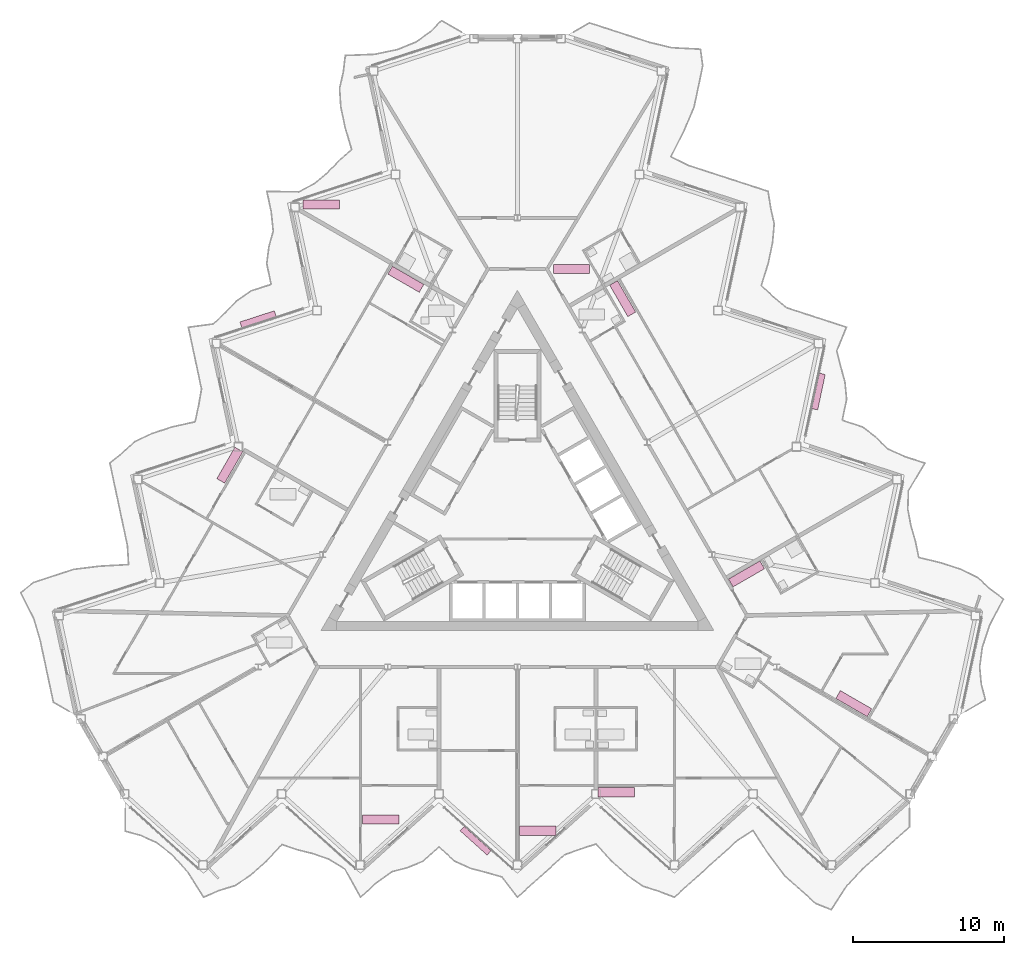
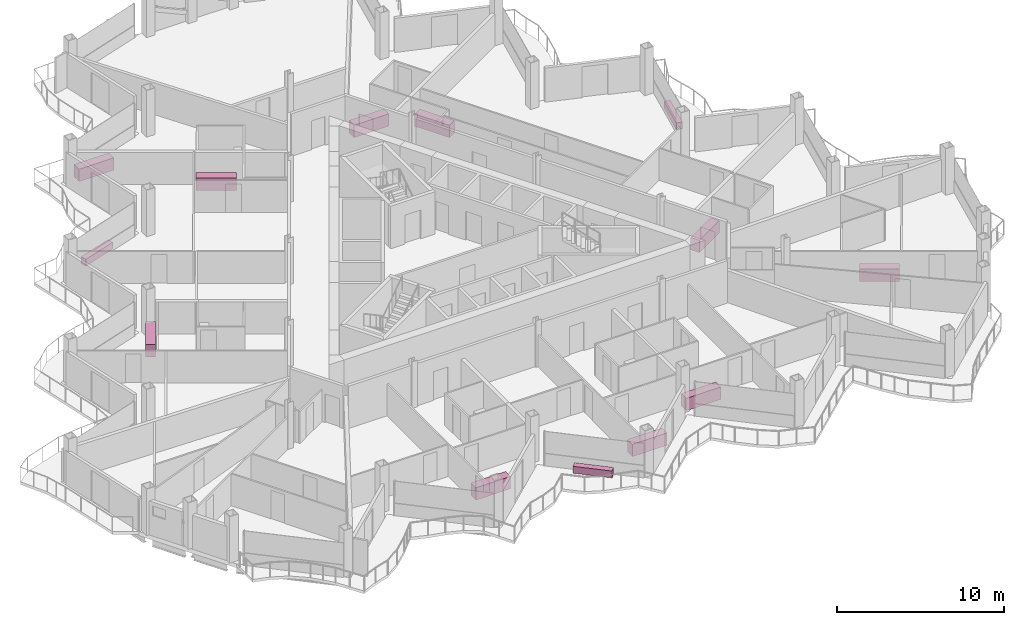
# One storey, part 27 of 27: 13 furniture elements.
"""IFC4 building model written with IfcOpenShell, lengths in metres."""

from ifc_helpers import new_model, si_unit, direction, frame, origin, origin_2d, place, context, subcontext, project, spatial, rectangle, extrude, material, type_object, element, save


model = new_model("IFC4")

# Units and contexts
model_context = context("Model", 3, precision=1e-05, world=origin(), true_north=direction((0.0, 1.0)))
body_context = subcontext(model_context, "Body", "Model", "MODEL_VIEW")
ifc_project = project(units=[si_unit("LENGTHUNIT", "METRE"), si_unit("AREAUNIT", "SQUARE_METRE"), si_unit("VOLUMEUNIT", "CUBIC_METRE"), si_unit("PLANEANGLEUNIT", "RADIAN"), si_unit("MASSUNIT", "GRAM", prefix="KILO")], contexts=[model_context])

# Site, building, storey
site_placement = place(None, origin())
site = spatial("IfcSite", under=ifc_project, at=site_placement, CompositionType="ELEMENT")
building_placement = place(site_placement, origin())
building = spatial("IfcBuilding", under=site, at=building_placement, Name="Cormorant Prow Tower", CompositionType="ELEMENT")
storey_placement = place(building_placement, frame((0.0, 0.0, 315.39990234375)))
storey = spatial("IfcBuildingStorey", under=building, at=storey_placement, Name="L69", CompositionType="ELEMENT", Elevation=315.39990234375)

# Furniture
ifc_material_1 = material(Name="Terracotta", Category="masonry")
furniture_type_1 = type_object("IfcFurnitureType", Name="Balcony planter 2400x400x500", AssemblyPlace="NOTDEFINED", PredefinedType="USERDEFINED", material=ifc_material_1)
for number, where, z_axis, x_axis, name in (
    (1, (-2.763671875, -21.41015625, 0.0), (0.0, 0.0, 1.0), (0.743144813413, -0.669130619757, 0.0), "Balcony planter S04"),
    (2, (19.923583984375, 8.3115234375, 0.0), (0.0, 0.0, 1.0), (0.207911759908, 0.978147586048, 0.0), "Balcony planter ENE04"),
    (3, (-17.159912109375, 13.098388671875, 0.0), (0.0, 0.0, 1.0), (-0.95105649024, -0.309017074565, 0.0), "Balcony planter WNW04"),
):
    element("IfcFurniture", number, at=place(storey_placement, frame(where, z_axis=z_axis, x_axis=x_axis)), inside=storey, type_object=furniture_type_1, Name=name, ObjectType="PLANTER", PredefinedType="USERDEFINED", context=body_context, shape_type="SweptSolid", body=[
        extrude(rectangle(XDim=2.39990234375, YDim=0.39990234375, at=origin_2d()), origin(), (0.0, 0.0, 1.0), 0.5),
    ])
ifc_material_2 = material(Name="Timber joinery", Category="wood")
furniture_type_2 = type_object("IfcFurnitureType", Name="Kitchen counter 2400x600", AssemblyPlace="NOTDEFINED", PredefinedType="NOTDEFINED", material=ifc_material_2)
for number, where, z_axis, x_axis, name in (
    (4, (-9.04052734375, -19.998779296875, 0.000244140625), (0.0, 0.0, 1.0), (1.0, 0.0, 0.0), "Kitchen counter"),
    (5, (1.344970703125, -20.748779296875, 0.000244140625), (0.0, 0.0, 1.0), (1.0, 0.0, 0.0), "Kitchen counter"),
    (6, (6.537841796875, -18.202880859375, 0.000244140625), (0.0, 0.0, 1.0), (1.0, 0.0, 0.0), "Kitchen counter"),
    (7, (22.255615234375, -12.33544921875, 0.000244140625), (0.0, 0.0, 1.0), (-0.866025403784, 0.5, 0.0), "Kitchen counter"),
    (8, (15.15869140625, -3.75439453125, 0.000244140625), (0.0, 0.0, 1.0), (0.866025403784, 0.5, 0.0), "Kitchen counter"),
    (9, (6.96435546875, 14.460205078125, 0.000244140625), (0.0, 0.0, 1.0), (0.5, -0.866025403784, 0.0), "Kitchen counter"),
    (10, (3.573486328125, 16.4267578125, 0.000244140625), (0.0, 0.0, 1.0), (1.0, 0.0, 0.0), "Kitchen counter"),
    (11, (-12.980224609375, 20.6767578125, 0.000244140625), (0.0, 0.0, 1.0), (1.0, 0.0, 0.0), "Kitchen counter"),
    (12, (-7.384033203125, 15.74169921875, 0.000244140625), (0.0, 0.0, 1.0), (0.866025403784, -0.5, 0.0), "Kitchen counter"),
    (13, (-19.033203125, 3.439697265625, 0.000244140625), (0.0, 0.0, 1.0), (-0.5, -0.866025403784, 0.0), "Kitchen counter"),
):
    element("IfcFurniture", number, at=place(storey_placement, frame(where, z_axis=z_axis, x_axis=x_axis)), inside=storey, type_object=furniture_type_2, Name=name, PredefinedType="NOTDEFINED", context=body_context, shape_type="SweptSolid", body=[
        extrude(rectangle(XDim=2.39990234375, YDim=0.60009765625, at=origin_2d()), origin(), (0.0, 0.0, 1.0), 0.89990234375),
    ])

save(model, "model.ifc")
